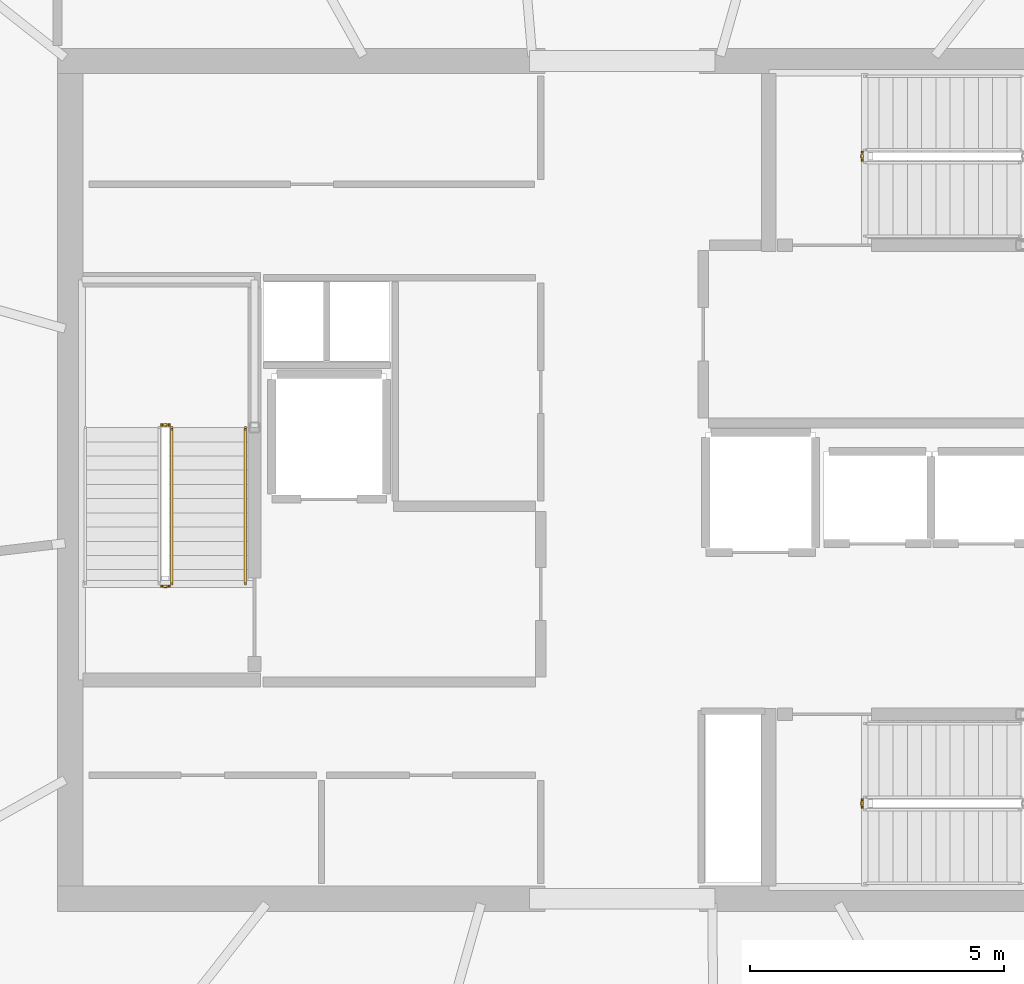
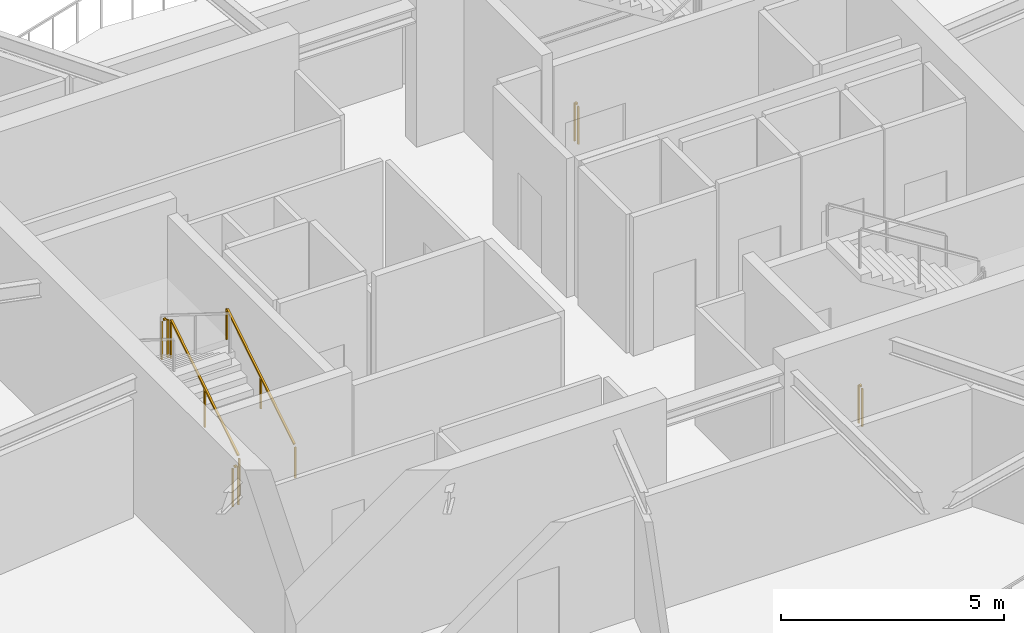
# One storey, part 18 of 21: 6 railings.
"""IFC4 building model written with IfcOpenShell, lengths in metres."""

from ifc_helpers import new_model, si_unit, direction, frame, origin, origin_2d, place, context, subcontext, project, spatial, rectangle, extrude, material, type_object, element, save


model = new_model("IFC4")

# Units and contexts
model_context = context("Model", 3, precision=1e-05, world=origin(), true_north=direction((0.0, 1.0)))
body_context = subcontext(model_context, "Body", "Model", "MODEL_VIEW")
ifc_project = project(units=[si_unit("LENGTHUNIT", "METRE"), si_unit("AREAUNIT", "SQUARE_METRE"), si_unit("VOLUMEUNIT", "CUBIC_METRE"), si_unit("PLANEANGLEUNIT", "RADIAN"), si_unit("MASSUNIT", "GRAM", prefix="KILO")], contexts=[model_context])

# Site, building, storey
site_placement = place(None, origin())
site = spatial("IfcSite", under=ifc_project, at=site_placement, CompositionType="ELEMENT")
building_placement = place(site_placement, origin())
building = spatial("IfcBuilding", under=site, at=building_placement, Name="Kazma Halo Residences", CompositionType="ELEMENT")
storey_placement = place(building_placement, frame((0.0, 0.0, 338.89990234375)))
storey = spatial("IfcBuildingStorey", under=building, at=storey_placement, Name="L85", CompositionType="ELEMENT", Elevation=338.89990234375)

# Railings
ifc_material_1 = material(Name="Painted Steel S355", Category="steel")
railing_type_1 = type_object("IfcRailingType", Name="RLG-STAIR-GRD-1100", PredefinedType="GUARDRAIL", material=ifc_material_1)
railing_1_placement = place(storey_placement, frame((39.550048828125, 39.949951171875, 0.175048828125)))
element("IfcRailing", 1, at=railing_1_placement, inside=storey, type_object=railing_type_1, Name="L85 ST-01 stair guard 1", PredefinedType="GUARDRAIL", context=body_context, shape_type="SweptSolid", body=[
    extrude(rectangle(XDim=0.050048828125, YDim=0.050048828125, at=origin_2d()), frame((0.0, 0.0361328125, 1.09765625), z_axis=(0.0, 0.847998304005, 0.529998940003), x_axis=(-1.0, 0.0, 0.0)), (0.0, 0.0, 1.0), 3.547119140625),
    extrude(rectangle(XDim=0.0400390625, YDim=0.0400390625, at=origin_2d()), origin(), (0.0, 0.0, 1.0), 1.0380859375),
    extrude(rectangle(XDim=0.0400390625, YDim=0.0400390625, at=origin_2d()), frame((0.0, 1.5400390625, 0.96240234375)), (0.0, 0.0, 1.0), 1.0380859375),
    extrude(rectangle(XDim=0.0400390625, YDim=0.0400390625, at=origin_2d()), frame((0.0, 3.080078125, 1.925048828125)), (0.0, 0.0, 1.0), 1.0380859375),
])
for number, where, name in (
    (2, (39.5, 43.080078125, 2.10009765625), "L85 ST-01 stair guard 2"),
    (3, (39.5, 39.89990234375, 0.0), "L85 ST-01 stair guard 4"),
):
    element("IfcRailing", number, at=place(storey_placement, frame(where)), inside=storey, type_object=railing_type_1, Name=name, PredefinedType="GUARDRAIL", context=body_context, shape_type="SweptSolid", body=[
        extrude(rectangle(XDim=0.050048828125, YDim=0.050048828125, at=origin_2d()), frame((-0.04248046875, 0.0, 1.0751953125), z_axis=(-1.0, 0.0, 0.0), x_axis=(0.0, -1.0, 0.0)), (0.0, 0.0, 1.0), 0.06494140625),
        extrude(rectangle(XDim=0.0400390625, YDim=0.0400390625, at=origin_2d()), origin(), (0.0, 0.0, 1.0), 1.0380859375),
        extrude(rectangle(XDim=0.0400390625, YDim=0.0400390625, at=origin_2d()), frame((-0.14990234375, 0.0, 0.0)), (0.0, 0.0, 1.0), 1.0380859375),
    ])
for number, where, name in (
    (4, (53.14990234375, 48.300048828125, 0.0), "L85 ST-02 stair guard 4"),
    (5, (53.14990234375, 35.550048828125, 0.0), "L85 ST-03 stair guard 4"),
):
    element("IfcRailing", number, at=place(storey_placement, frame(where)), inside=storey, type_object=railing_type_1, Name=name, PredefinedType="GUARDRAIL", context=body_context, shape_type="SweptSolid", body=[
        extrude(rectangle(XDim=0.050048828125, YDim=0.050048828125, at=origin_2d()), frame((0.0, 0.04248046875, 1.0751953125), z_axis=(0.0, 1.0, 0.0), x_axis=(-1.0, 0.0, 0.0)), (0.0, 0.0, 1.0), 0.06494140625),
        extrude(rectangle(XDim=0.0400390625, YDim=0.0400390625, at=origin_2d()), origin(), (0.0, 0.0, 1.0), 1.0380859375),
        extrude(rectangle(XDim=0.0400390625, YDim=0.0400390625, at=origin_2d()), frame((0.0, 0.14990234375, 0.0)), (0.0, 0.0, 1.0), 1.0380859375),
    ])
ifc_material_2 = material(Name="Brushed Stainless Steel", Category="steel")
railing_type_2 = type_object("IfcRailingType", Name="RLG-STAIR-HND-900", PredefinedType="HANDRAIL", material=ifc_material_2)
railing_2_placement = place(storey_placement, frame((41.0, 39.949951171875, 0.175048828125)))
element("IfcRailing", 6, at=railing_2_placement, inside=storey, type_object=railing_type_2, Name="L85 ST-01 stair handrail 1", PredefinedType="HANDRAIL", context=body_context, shape_type="SweptSolid", body=[
    extrude(rectangle(XDim=0.050048828125, YDim=0.050048828125, at=origin_2d()), frame((0.0, 0.0361328125, 0.8974609375), z_axis=(0.0, 0.847998304005, 0.529998940003), x_axis=(-1.0, 0.0, 0.0)), (0.0, 0.0, 1.0), 3.547119140625),
    extrude(rectangle(XDim=0.0400390625, YDim=0.0400390625, at=origin_2d()), origin(), (0.0, 0.0, 1.0), 0.837890625),
    extrude(rectangle(XDim=0.0400390625, YDim=0.0400390625, at=origin_2d()), frame((0.0, 1.5400390625, 0.96240234375)), (0.0, 0.0, 1.0), 0.837890625),
    extrude(rectangle(XDim=0.0400390625, YDim=0.0400390625, at=origin_2d()), frame((0.0, 3.080078125, 1.925048828125)), (0.0, 0.0, 1.0), 0.837890625),
])

save(model, "model.ifc")
